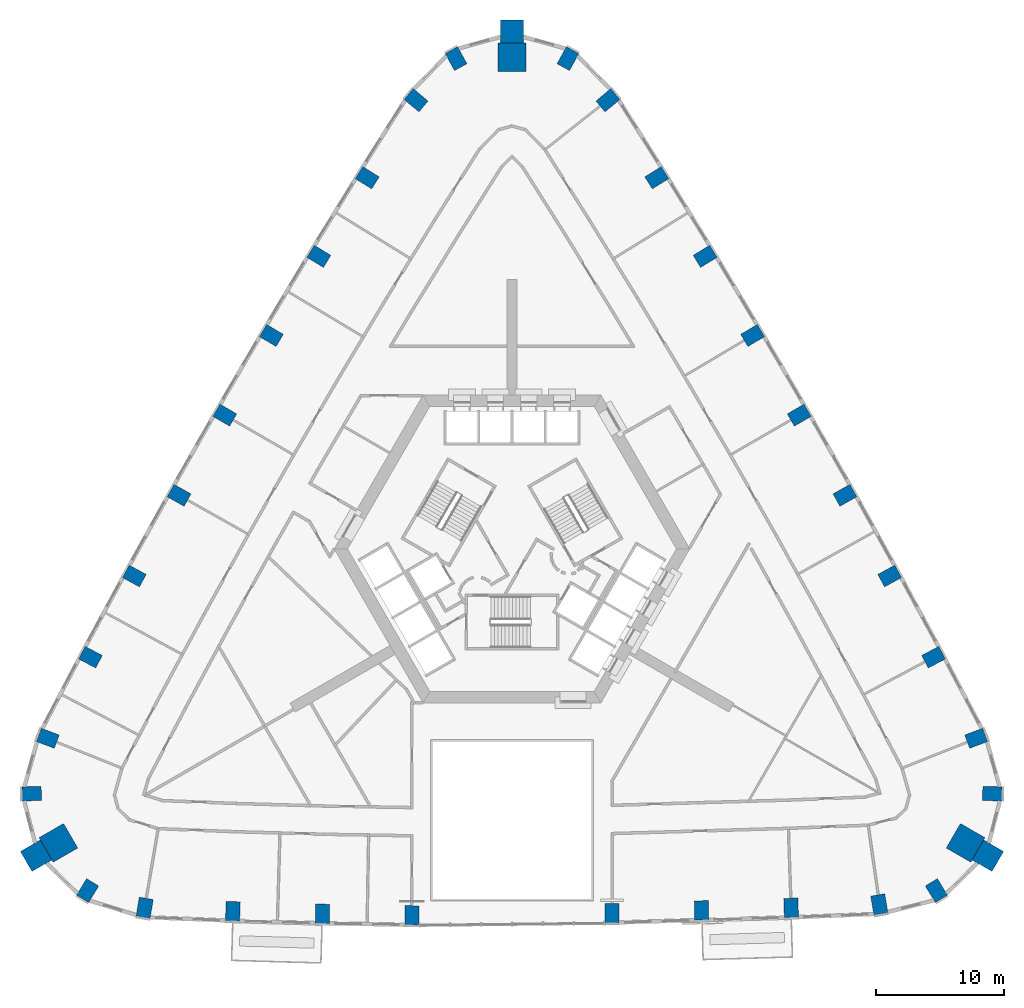
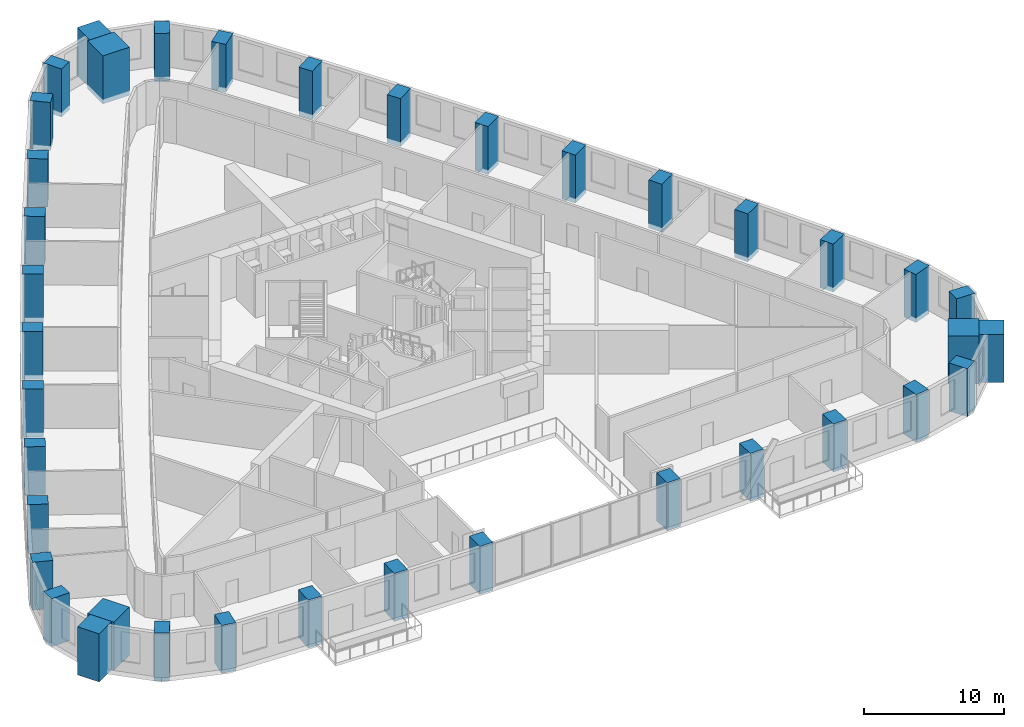
# One storey, part 1 of 14: 38 columns.
"""IFC4 building model written with IfcOpenShell, lengths in metres."""

from ifc_helpers import new_model, si_unit, direction, frame, origin, origin_2d, place, context, subcontext, project, spatial, rectangle, extrude, material, material_profile, profile_set, type_object, element, save


model = new_model("IFC4")

# Units and contexts
model_context = context("Model", 3, precision=1e-05, world=origin(), true_north=direction((0.0, 1.0)))
body_context = subcontext(model_context, "Body", "Model", "MODEL_VIEW")
ifc_project = project(units=[si_unit("LENGTHUNIT", "METRE"), si_unit("AREAUNIT", "SQUARE_METRE"), si_unit("VOLUMEUNIT", "CUBIC_METRE"), si_unit("PLANEANGLEUNIT", "RADIAN"), si_unit("MASSUNIT", "GRAM", prefix="KILO")], contexts=[model_context])

# Site, building, storey
site_placement = place(None, origin())
site = spatial("IfcSite", under=ifc_project, at=site_placement, CompositionType="ELEMENT")
building_placement = place(site_placement, origin())
building = spatial("IfcBuilding", under=site, at=building_placement, Name="Entoto Arch Interchange Tower", CompositionType="ELEMENT")
storey_placement = place(building_placement, frame((0.0, 0.0, 103.39990234375)))
storey = spatial("IfcBuildingStorey", under=building, at=storey_placement, Name="L22", CompositionType="ELEMENT", Elevation=103.39990234375)

# Columns
ifc_material_1 = material(Name="Concrete C60/75", Category="concrete")
ifc_material_profile_1 = material_profile(ifc_material_1, rectangle(XDim=1.10009765625, YDim=1.5, at=origin_2d()))
ifc_profile_set_1 = profile_set([ifc_material_profile_1], Name="Concrete C60/75")
column_type_1 = type_object("IfcColumnType", Name="Column RC 1100x1500 C60/75", PredefinedType="COLUMN", material=ifc_profile_set_1)
for number, where, z_axis, x_axis, name in (
    (1, (-28.633056640625, -25.47802734375, -0.39990234375), (0.0, 0.0, 1.0), (-0.985759288085, 0.168162498658, 0.0), "Column S01 L22"),
    (2, (-21.757080078125, -25.742919921875, -0.39990234375), (0.0, 0.0, 1.0), (-0.999373652571, 0.035387887008, 0.0), "Column S02 L22"),
    (3, (-14.77294921875, -25.943115234375, -0.39990234375), (0.0, 0.0, 1.0), (-0.999711216939, 0.024030870297, 0.0), "Column S03 L22"),
    (4, (-7.7919921875, -26.06591796875, -0.39990234375), (0.0, 0.0, 1.0), (-0.999958020206, 0.009162850353, 0.0), "Column S04 L22"),
    (5, (7.7919921875, -25.89404296875, -0.39990234375), (0.0, 0.0, 1.0), (0.999958020206, 0.009162850353, 0.0), "Column S05 L22"),
    (6, (14.77294921875, -25.678955078125, -0.39990234375), (0.0, 0.0, 1.0), (0.999711216939, 0.024030870297, 0.0), "Column S06 L22"),
    (7, (21.757080078125, -25.47900390625, -0.39990234375), (0.0, 0.0, 1.0), (0.999373652571, 0.035387887008, 0.0), "Column S07 L22"),
    (8, (28.633056640625, -25.214111328125, -0.39990234375), (0.0, 0.0, 1.0), (0.985759288085, 0.168162498658, 0.0), "Column S08 L22"),
    (9, (33.077880859375, -24.132080078125, -0.39990234375), (0.0, 0.0, 1.0), (0.854095929175, 0.520115510024, 0.0), "Column SE1 L22"),
    (10, (37.43798828125, -16.5810546875, -0.39990234375), (0.0, 0.0, 1.0), (0.023385279996, 0.999726526946, 0.0), "Column SE3 L22"),
    (11, (36.18798828125, -12.260986328125, -0.39990234375), (0.0, 0.0, 1.0), (-0.347312116358, 0.937749590152, 0.0), "Column NE01 L22"),
    (12, (32.85791015625, -5.943115234375, -0.39990234375), (0.0, 0.0, 1.0), (-0.469332863911, 0.883021326386, 0.0), "Column NE02 L22"),
    (13, (29.43798828125, 0.385009765625, -0.39990234375), (0.0, 0.0, 1.0), (-0.479611016922, 0.87748120917, 0.0), "Column NE03 L22"),
    (14, (25.947998046875, 6.675048828125, -0.39990234375), (0.0, 0.0, 1.0), (-0.489838999048, 0.87181291285, 0.0), "Column NE04 L22"),
    (15, (22.386962890625, 12.925048828125, -0.39990234375), (0.0, 0.0, 1.0), (-0.5, 0.866025403784, 0.0), "Column NE05 L22"),
    (16, (18.7548828125, 19.134033203125, -0.39990234375), (0.0, 0.0, 1.0), (-0.510092630351, 0.860119473365, 0.0), "Column NE06 L22"),
    (17, (15.052978515625, 25.302001953125, -0.39990234375), (0.0, 0.0, 1.0), (-0.520115510024, 0.854095929175, 0.0), "Column NE07 L22"),
    (18, (11.282958984375, 31.427978515625, -0.39990234375), (0.0, 0.0, 1.0), (-0.530067268476, 0.847955594881, 0.0), "Column NE08 L22"),
    (19, (7.47607421875, 37.469970703125, -0.39990234375), (0.0, 0.0, 1.0), (-0.638458909281, 0.769655910885, 0.0), "Column NE09 L22"),
    (20, (4.360107421875, 40.7119140625, -0.39990234375), (0.0, 0.0, 1.0), (-0.87748120917, 0.479611016922, 0.0), "Column N1 L22"),
    (21, (-4.360107421875, 40.7119140625, -0.39990234375), (0.0, 0.0, 1.0), (0.87748120917, 0.479611016922, 0.0), "Column N3 L22"),
    (22, (-7.47607421875, 37.469970703125, -0.39990234375), (0.0, 0.0, 1.0), (0.638458909281, 0.769655910885, 0.0), "Column NW01 L22"),
    (23, (-11.282958984375, 31.427978515625, -0.39990234375), (0.0, 0.0, 1.0), (0.530067268476, 0.847955594881, 0.0), "Column NW02 L22"),
    (24, (-15.052978515625, 25.302001953125, -0.39990234375), (0.0, 0.0, 1.0), (0.520115510024, 0.854095929175, 0.0), "Column NW03 L22"),
    (25, (-18.7548828125, 19.134033203125, -0.39990234375), (0.0, 0.0, 1.0), (0.510092630351, 0.860119473365, 0.0), "Column NW04 L22"),
    (26, (-22.386962890625, 12.925048828125, -0.39990234375), (0.0, 0.0, 1.0), (0.5, 0.866025403784, 0.0), "Column NW05 L22"),
    (27, (-25.947998046875, 6.675048828125, -0.39990234375), (0.0, 0.0, 1.0), (0.489838999048, 0.87181291285, 0.0), "Column NW06 L22"),
    (28, (-29.43798828125, 0.385009765625, -0.39990234375), (0.0, 0.0, 1.0), (0.479611016922, 0.87748120917, 0.0), "Column NW07 L22"),
    (29, (-32.85791015625, -5.943115234375, -0.39990234375), (0.0, 0.0, 1.0), (0.469332863911, 0.883021326386, 0.0), "Column NW08 L22"),
    (30, (-36.18798828125, -12.260986328125, -0.39990234375), (0.0, 0.0, 1.0), (0.347312116358, 0.937749590152, 0.0), "Column NW09 L22"),
    (31, (-37.43798828125, -16.5810546875, -0.39990234375), (0.0, 0.0, 1.0), (-0.023385279996, 0.999726526946, 0.0), "Column SW1 L22"),
    (32, (-33.077880859375, -24.132080078125, -0.39990234375), (0.0, 0.0, 1.0), (-0.854095929175, 0.520115510024, 0.0), "Column SW3 L22"),
):
    element("IfcColumn", number, at=place(storey_placement, frame(where, z_axis=z_axis, x_axis=x_axis)), inside=storey, type_object=column_type_1, Name=name, PredefinedType="COLUMN", context=body_context, shape_type="SweptSolid", body=[
        extrude(rectangle(XDim=1.10009765625, YDim=1.5, at=origin_2d()), origin(), (0.0, 0.0, 1.0), 4.199951171875),
    ])
ifc_material_2 = material(Name="Precast concrete C40/50", Category="concrete")
ifc_material_profile_2 = material_profile(ifc_material_2, rectangle(XDim=1.800048828125, YDim=1.800048828125, at=origin_2d()))
ifc_profile_set_2 = profile_set([ifc_material_profile_2], Name="Precast concrete C40/50")
column_type_2 = type_object("IfcColumnType", Name="Frame post RC 1800x1800 precast C40/50", PredefinedType="COLUMN", material=ifc_profile_set_2)
for number, where, z_axis, x_axis, name in (
    (33, (37.089111328125, -21.4140625, -0.39990234375), (0.0, 0.0, 1.0), (-0.866025403784, 0.5, 0.0), "Frame post SE L22"),
    (34, (0.0, 42.826904296875, -0.39990234375), (0.0, 0.0, 1.0), (0.0, 1.0, 0.0), "Frame post N L22"),
    (35, (-37.089111328125, -21.4140625, -0.39990234375), (0.0, 0.0, 1.0), (0.866025403784, 0.5, 0.0), "Frame post SW L22"),
):
    element("IfcColumn", number, at=place(storey_placement, frame(where, z_axis=z_axis, x_axis=x_axis)), inside=storey, type_object=column_type_2, Name=name, PredefinedType="COLUMN", context=body_context, shape_type="SweptSolid", body=[
        extrude(rectangle(XDim=1.800048828125, YDim=1.800048828125, at=origin_2d()), origin(), (0.0, 0.0, 1.0), 4.199951171875),
    ])
ifc_material_profile_3 = material_profile(ifc_material_1, rectangle(XDim=2.199951171875, YDim=2.199951171875, at=origin_2d()))
ifc_profile_set_3 = profile_set([ifc_material_profile_3], Name="Concrete C60/75")
column_type_3 = type_object("IfcColumnType", Name="Mega column RC 2200x2200 C60/75", PredefinedType="COLUMN", material=ifc_profile_set_3)
for number, where, z_axis, x_axis, name in (
    (36, (35.35693359375, -20.4140625, -0.39990234375), (0.0, 0.0, 1.0), (-0.866025403784, 0.5, 0.0), "Corner mega column SE2 L22"),
    (37, (0.0, 40.826904296875, -0.39990234375), (0.0, 0.0, 1.0), (0.0, 1.0, 0.0), "Corner mega column N2 L22"),
    (38, (-35.35693359375, -20.4140625, -0.39990234375), (0.0, 0.0, 1.0), (0.866025403784, 0.5, 0.0), "Corner mega column SW2 L22"),
):
    element("IfcColumn", number, at=place(storey_placement, frame(where, z_axis=z_axis, x_axis=x_axis)), inside=storey, type_object=column_type_3, Name=name, PredefinedType="COLUMN", context=body_context, shape_type="SweptSolid", body=[
        extrude(rectangle(XDim=2.199951171875, YDim=2.199951171875, at=origin_2d()), origin(), (0.0, 0.0, 1.0), 4.199951171875),
    ])

save(model, "model.ifc")
